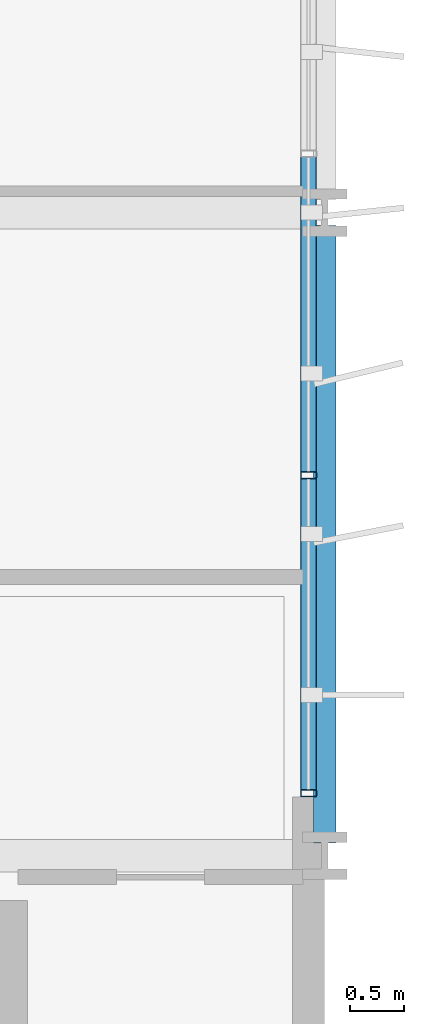
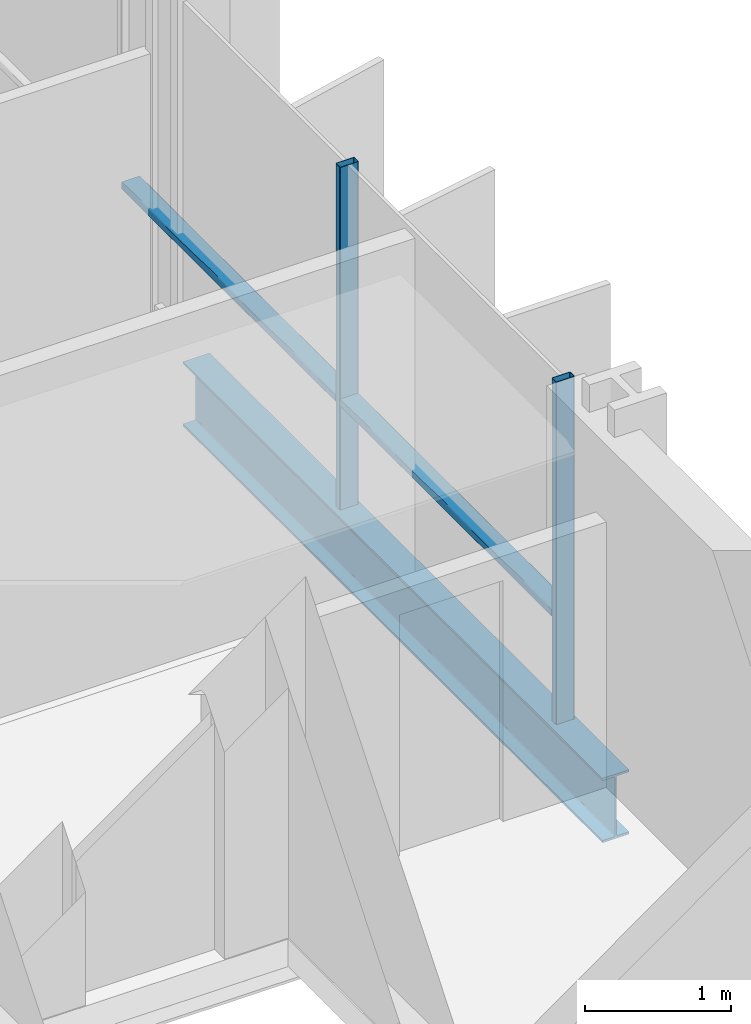
# One storey, part 15 of 39: 4 members, 1 beam, 1 element without a shape of its own.
"""IFC4 building model written with IfcOpenShell, lengths in metres."""

from ifc_helpers import new_model, si_unit, direction, frame, origin, origin_2d, place, context, subcontext, project, spatial, hollow_rectangle, i_section, extrude, material, layer, layer_set, material_profile, profile_set, type_object, element, aggregate, save


model = new_model("IFC4")

# Units and contexts
model_context = context("Model", 3, precision=1e-05, world=origin(), true_north=direction((0.0, 1.0)))
body_context = subcontext(model_context, "Body", "Model", "MODEL_VIEW")
ifc_project = project(units=[si_unit("LENGTHUNIT", "METRE"), si_unit("AREAUNIT", "SQUARE_METRE"), si_unit("VOLUMEUNIT", "CUBIC_METRE"), si_unit("PLANEANGLEUNIT", "RADIAN"), si_unit("MASSUNIT", "GRAM", prefix="KILO")], contexts=[model_context])

# Site, building, storey
site_placement = place(None, origin())
site = spatial("IfcSite", under=ifc_project, at=site_placement, CompositionType="ELEMENT")
building_placement = place(site_placement, origin())
building = spatial("IfcBuilding", under=site, at=building_placement, Name="Brevholm Reach", CompositionType="ELEMENT")
storey_placement = place(building_placement, frame((0.0, 0.0, 34.199951171875)))
storey = spatial("IfcBuildingStorey", under=building, at=storey_placement, Name="L08", CompositionType="ELEMENT", Elevation=34.199951171875)

# Beam
ifc_material_1 = material(Name="Structural Steel S355J2", Category="steel")
ifc_material_profile_1 = material_profile(ifc_material_1, i_section(OverallWidth=0.210693359375, OverallDepth=0.53955078125, WebThickness=0.01171875, FlangeThickness=0.018798828125, FilletRadius=0.0126953125, at=origin_2d()), Name="UKB 533x210x109")
ifc_profile_set_1 = profile_set([ifc_material_profile_1], Name="Structural Steel S355J2")
beam_type = type_object("IfcBeamType", Name="BM-SP539", PredefinedType="SPANDREL", material=ifc_profile_set_1)
beam_placement = place(storey_placement, frame((60.0, 10.1201171875, -0.499755859375), z_axis=(0.0, 1.0, 0.0), x_axis=(-1.0, 0.0, 0.0)))
element("IfcBeam", 1, at=beam_placement, inside=storey, type_object=beam_type, Name="L08 SP-01B Framing Beam", PredefinedType="SPANDREL", context=body_context, shape_type="SweptSolid", body=[
    extrude(i_section(OverallWidth=0.210693359375, OverallDepth=0.53955078125, WebThickness=0.01171875, FlangeThickness=0.018798828125, FilletRadius=0.0126953125, at=origin_2d()), origin(), (0.0, 0.0, 1.0), 5.759765625),
])

# Curtain wall, members
ifc_material_2 = material(Name="Dark Anodised Aluminium 6063-T6 and Solar-Control Glass", Category="aluminium")
ifc_layer = layer(ifc_material_2, 0.14990234375)
ifc_layer_set = layer_set([ifc_layer], Name="Dark Anodised Aluminium 6063-T6 and Solar-Control Glass")
curtain_wall_type = type_object("IfcCurtainWallType", Name="CW-01", PredefinedType="NOTDEFINED", material=ifc_layer_set)
curtain_wall_placement = place(storey_placement, origin())
curtain_wall = element("IfcCurtainWall", 2, at=curtain_wall_placement, inside=storey, type_object=curtain_wall_type, Name="L08 Curtain Wall CW-01", PredefinedType="NOTDEFINED")
ifc_material_3 = material(Name="Dark Anodised Aluminium 6063-T6", Category="aluminium")
ifc_material_profile_2 = material_profile(ifc_material_3, hollow_rectangle(XDim=0.06494140625, YDim=0.14990234375, WallThickness=0.0048828125, InnerFilletRadius=0.0048828125, OuterFilletRadius=0.010009765625, at=origin_2d()), Name="RHS 150x65x5")
ifc_profile_set_2 = profile_set([ifc_material_profile_2], Name="Dark Anodised Aluminium 6063-T6")
member_type_1 = type_object("IfcMemberType", Name="CWM-150", PredefinedType="MULLION", material=ifc_profile_set_2)
member_1_placement = place(storey_placement, frame((59.85009765625, 10.58251953125, 0.0), z_axis=(0.0, 0.0, 1.0), x_axis=(0.0, 1.0, 0.0)))
member_1 = element("IfcMember", 3, at=member_1_placement, type_object=member_type_1, Name="CM-150 Mullion 1", PredefinedType="MULLION", context=body_context, shape_type="SweptSolid", body=[
    extrude(hollow_rectangle(XDim=0.06494140625, YDim=0.14990234375, WallThickness=0.0048828125, InnerFilletRadius=0.0048828125, OuterFilletRadius=0.010009765625, at=origin_2d()), origin(), (0.0, 0.0, 1.0), 2.8701171875),
])
member_2_placement = place(storey_placement, frame((59.85009765625, 13.550048828125, 0.0), z_axis=(0.0, 0.0, 1.0), x_axis=(0.0, 1.0, 0.0)))
member_2 = element("IfcMember", 4, at=member_2_placement, type_object=member_type_1, Name="CM-150 Mullion 2", PredefinedType="MULLION", context=body_context, shape_type="SweptSolid", body=[
    extrude(hollow_rectangle(XDim=0.06494140625, YDim=0.14990234375, WallThickness=0.0048828125, InnerFilletRadius=0.0048828125, OuterFilletRadius=0.010009765625, at=origin_2d()), origin(), (0.0, 0.0, 1.0), 2.8701171875),
])
ifc_material_4 = material(Name="Dark Anodised Aluminium 6063-T6", Category="aluminium")
ifc_material_profile_3 = material_profile(ifc_material_4, hollow_rectangle(XDim=0.06494140625, YDim=0.14990234375, WallThickness=0.0048828125, InnerFilletRadius=0.0048828125, OuterFilletRadius=0.010009765625, at=origin_2d()), Name="RHS 150x65x5")
ifc_profile_set_3 = profile_set([ifc_material_profile_3], Name="Dark Anodised Aluminium 6063-T6")
member_type_2 = type_object("IfcMemberType", Name="CWT-150", PredefinedType="NOTDEFINED", material=ifc_profile_set_3)
member_3_placement = place(storey_placement, frame((59.85009765625, 10.614990234375, 0.900146484375), z_axis=(0.0, 1.0, 0.0), x_axis=(0.0, 0.0, 1.0)))
member_3 = element("IfcMember", 5, at=member_3_placement, type_object=member_type_2, Name="CT-150 Transom 1.1", ObjectType="TRANSOM", PredefinedType="USERDEFINED", context=body_context, shape_type="SweptSolid", body=[
    extrude(hollow_rectangle(XDim=0.06494140625, YDim=0.14990234375, WallThickness=0.0048828125, InnerFilletRadius=0.0048828125, OuterFilletRadius=0.010009765625, at=origin_2d()), origin(), (0.0, 0.0, 1.0), 2.902587890625),
])
member_4_placement = place(storey_placement, frame((59.85009765625, 13.58251953125, 0.900146484375), z_axis=(0.0, 1.0, 0.0), x_axis=(0.0, 0.0, 1.0)))
member_4 = element("IfcMember", 6, at=member_4_placement, type_object=member_type_2, Name="CT-150 Transom 2.1", ObjectType="TRANSOM", PredefinedType="USERDEFINED", context=body_context, shape_type="SweptSolid", body=[
    extrude(hollow_rectangle(XDim=0.06494140625, YDim=0.14990234375, WallThickness=0.0048828125, InnerFilletRadius=0.0048828125, OuterFilletRadius=0.010009765625, at=origin_2d()), origin(), (0.0, 0.0, 1.0), 2.93505859375),
])
aggregate(curtain_wall, [member_1, member_2, member_3, member_4])

save(model, "model.ifc")
